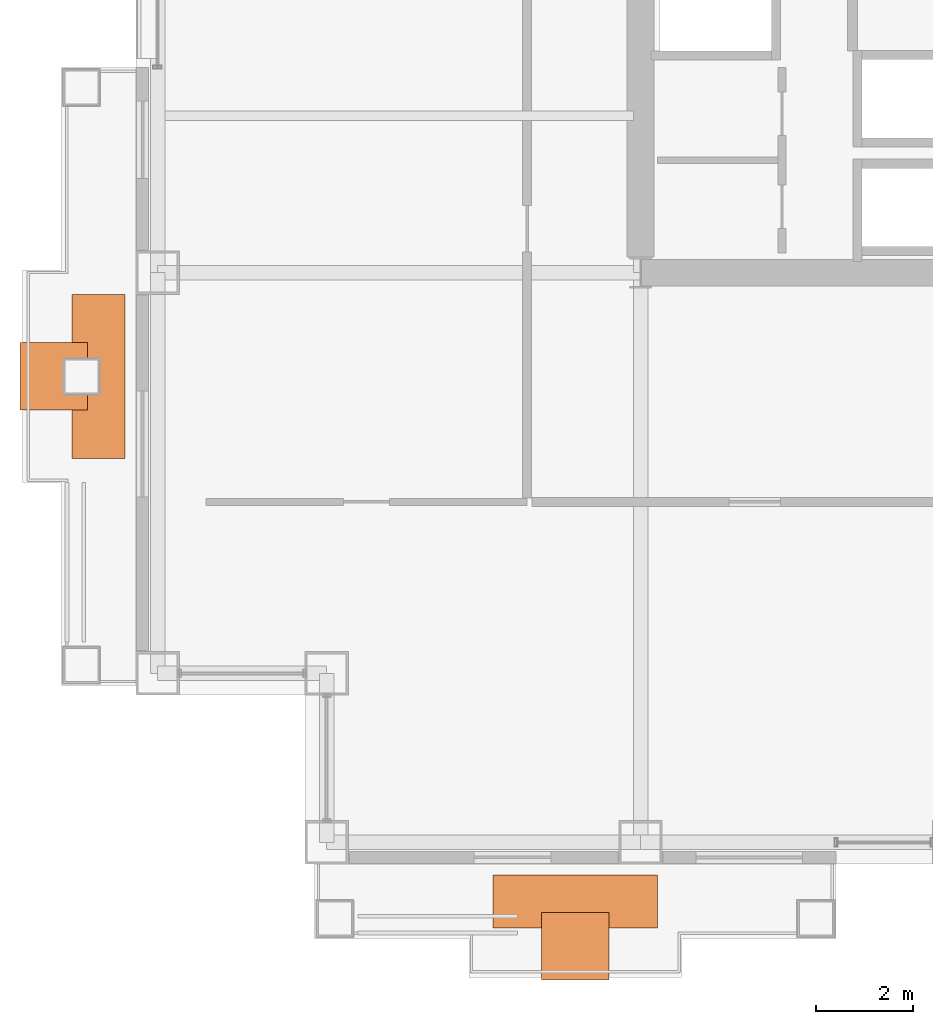
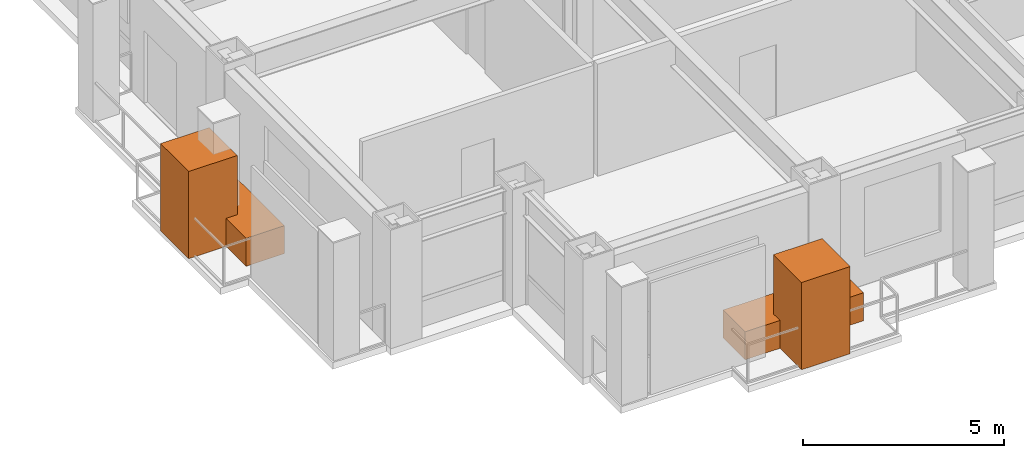
# One storey, part 29 of 29: 4 proxies.
"""IFC4 building model written with IfcOpenShell, lengths in metres."""

from ifc_helpers import new_model, si_unit, direction, frame, origin, origin_2d, place, context, subcontext, project, spatial, rectangle, extrude, material, type_object, element, save


model = new_model("IFC4")

# Units and contexts
model_context = context("Model", 3, precision=1e-05, world=origin(), true_north=direction((0.0, 1.0)))
body_context = subcontext(model_context, "Body", "Model", "MODEL_VIEW")
ifc_project = project(units=[si_unit("LENGTHUNIT", "METRE"), si_unit("AREAUNIT", "SQUARE_METRE"), si_unit("VOLUMEUNIT", "CUBIC_METRE"), si_unit("PLANEANGLEUNIT", "RADIAN"), si_unit("MASSUNIT", "GRAM", prefix="KILO")], contexts=[model_context])

# Site, building, storey
site_placement = place(None, origin())
site = spatial("IfcSite", under=ifc_project, at=site_placement, CompositionType="ELEMENT")
building_placement = place(site_placement, origin())
building = spatial("IfcBuilding", under=site, at=building_placement, Name="Brelmoor Portico Tower", CompositionType="ELEMENT")
storey_placement = place(building_placement, frame((0.0, 0.0, 63.60009765625)))
storey = spatial("IfcBuildingStorey", under=building, at=storey_placement, Name="L16", CompositionType="ELEMENT", Elevation=63.60009765625)

# Proxies
ifc_material_1 = material(Name="Planted Canopy Tree and Soil Rootball", Category="other")
building_element_proxy_type_1 = type_object("IfcBuildingElementProxyType", Name="BALCONY TREE ARBOR", PredefinedType="USERDEFINED", material=ifc_material_1)
for number, where, z_axis, x_axis, name in (
    (1, (-26.699951171875, -11.89990234375, 0.0), (0.0, 0.0, 1.0), (1.0, 0.0, 0.0), "L16 Balcony PLANTER Tree Canopy Arbor W"),
    (2, (-15.89990234375, -23.699951171875, 0.0), (0.0, 0.0, 1.0), (1.0, 0.0, 0.0), "L16 Balcony PLANTER Tree Canopy Arbor S"),
):
    element("IfcBuildingElementProxy", number, at=place(storey_placement, frame(where, z_axis=z_axis, x_axis=x_axis)), inside=storey, type_object=building_element_proxy_type_1, Name=name, ObjectType="PLANTER", PredefinedType="USERDEFINED", context=body_context, shape_type="SweptSolid", body=[
        extrude(rectangle(XDim=1.39990234375, YDim=1.39990234375, at=origin_2d()), origin(), (0.0, 0.0, 1.0), 2.64990234375),
    ])
ifc_material_2 = material(Name="Architectural Precast Concrete C40", Category="concrete")
building_element_proxy_type_2 = type_object("IfcBuildingElementProxyType", Name="TREE PLANTER", PredefinedType="USERDEFINED", material=ifc_material_2)
for number, where, z_axis, x_axis, name in (
    (3, (-25.77490234375, -11.89990234375, -0.000244140625), (0.0, 0.0, 1.0), (0.0, 1.0, 0.0), "L16 Planted Tree Planter W"),
    (4, (-15.89990234375, -22.77490234375, -0.000244140625), (0.0, 0.0, 1.0), (1.0, 0.0, 0.0), "L16 Planted Tree Planter S"),
):
    element("IfcBuildingElementProxy", number, at=place(storey_placement, frame(where, z_axis=z_axis, x_axis=x_axis)), inside=storey, type_object=building_element_proxy_type_2, Name=name, ObjectType="PLANTER", PredefinedType="USERDEFINED", context=body_context, shape_type="SweptSolid", body=[
        extrude(rectangle(XDim=3.39990234375, YDim=1.10009765625, at=origin_2d()), origin(), (0.0, 0.0, 1.0), 0.85009765625),
    ])

save(model, "model.ifc")
